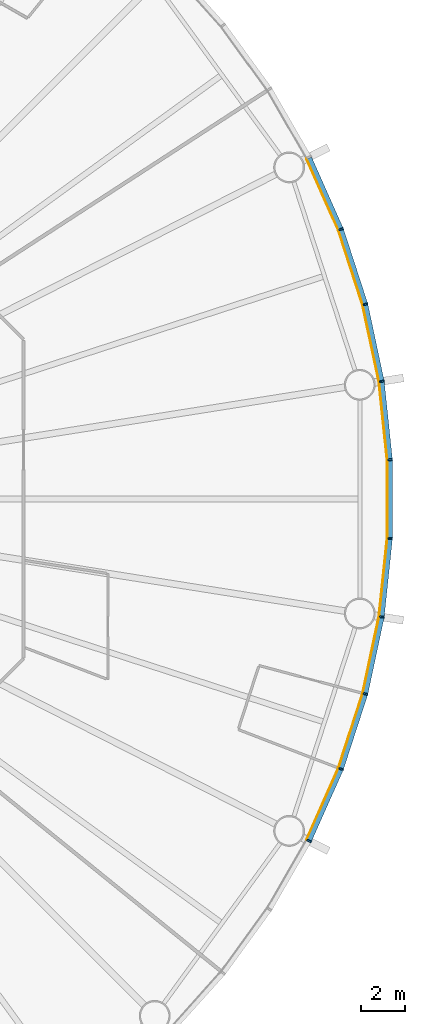
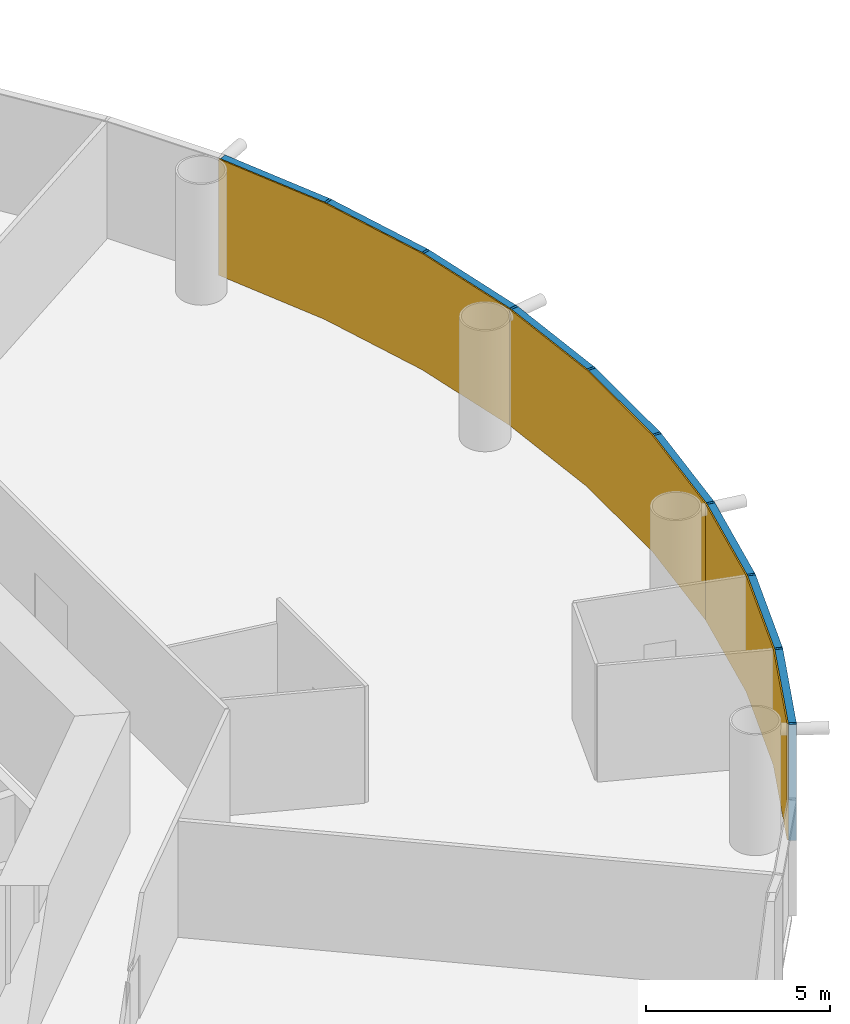
# One storey, part 11 of 13: 18 members, 3 curtain walls.
"""IFC4 building model written with IfcOpenShell, lengths in metres."""

from ifc_helpers import new_model, si_unit, direction, frame, origin, origin_2d, place, context, subcontext, project, spatial, polyline, rectangle, outline, extrude, material, layer, layer_set, material_profile, profile_set, type_object, element, aggregate, save


model = new_model("IFC4")

# Units and contexts
model_context = context("Model", 3, precision=1e-05, world=origin(), true_north=direction((0.0, 1.0)))
body_context = subcontext(model_context, "Body", "Model", "MODEL_VIEW")
ifc_project = project(units=[si_unit("LENGTHUNIT", "METRE"), si_unit("AREAUNIT", "SQUARE_METRE"), si_unit("VOLUMEUNIT", "CUBIC_METRE"), si_unit("PLANEANGLEUNIT", "RADIAN"), si_unit("MASSUNIT", "GRAM", prefix="KILO")], contexts=[model_context])

# Member
ifc_material_1 = material(Name="Anodised aluminium", Category="aluminium")
ifc_material_profile_1 = material_profile(ifc_material_1, rectangle(XDim=0.074951171875, YDim=0.219970703125, at=origin_2d()), Name="Mullion 75 x 220 mm anodised aluminium")
ifc_profile_set_1 = profile_set([ifc_material_profile_1], Name="Anodised aluminium")
member_type_1 = type_object("IfcMemberType", Name="Mullion 75 x 220 mm anodised aluminium", PredefinedType="MULLION", material=ifc_profile_set_1)
site_placement = place(None, origin())
building_placement = place(site_placement, origin())
storey_placement = place(building_placement, frame((0.0, 0.0, 34.0)))
member_1_placement = place(storey_placement, frame((123.68994140625, 85.3359375, 0.0), z_axis=(0.0, 0.0, 1.0), x_axis=(-0.15643446504, 0.987688340595, 0.0)))
member_1 = element("IfcMember", 1, at=member_1_placement, type_object=member_type_1, Name="MULLION L06-00", PredefinedType="MULLION", context=body_context, shape_type="SweptSolid", body=[
    extrude(rectangle(XDim=0.074951171875, YDim=0.219970703125, at=origin_2d()), origin(), (0.0, 0.0, 1.0), 3.85009765625),
])

member_2_placement = place(storey_placement, frame((122.94775390625, 88.828369140625, 0.0), z_axis=(0.0, 0.0, 1.0), x_axis=(-0.258819045103, 0.965925826289, 0.0)))
member_2 = element("IfcMember", 2, at=member_2_placement, type_object=member_type_1, Name="MULLION L06-01", PredefinedType="MULLION", context=body_context, shape_type="SweptSolid", body=[
    extrude(rectangle(XDim=0.074951171875, YDim=0.219970703125, at=origin_2d()), origin(), (0.0, 0.0, 1.0), 3.85009765625),
])

member_3_placement = place(storey_placement, frame((121.844482421875, 92.223876953125, 0.0), z_axis=(0.0, 0.0, 1.0), x_axis=(-0.358367949545, 0.933580426497, 0.0)))
member_3 = element("IfcMember", 3, at=member_3_placement, type_object=member_type_1, Name="MULLION L06-02", PredefinedType="MULLION", context=body_context, shape_type="SweptSolid", body=[
    extrude(rectangle(XDim=0.074951171875, YDim=0.219970703125, at=origin_2d()), origin(), (0.0, 0.0, 1.0), 3.85009765625),
])

member_4_placement = place(storey_placement, frame((120.392333984375, 64.514404296875, 0.0), z_axis=(0.0, 0.0, 1.0), x_axis=(0.45399049974, 0.891006524188, 0.0)))
member_4 = element("IfcMember", 4, at=member_4_placement, type_object=member_type_1, Name="MULLION L06-54", PredefinedType="MULLION", context=body_context, shape_type="SweptSolid", body=[
    extrude(rectangle(XDim=0.074951171875, YDim=0.219970703125, at=origin_2d()), origin(), (0.0, 0.0, 1.0), 3.85009765625),
])

member_5_placement = place(storey_placement, frame((121.844482421875, 67.776123046875, 0.0), z_axis=(0.0, 0.0, 1.0), x_axis=(0.358367949545, 0.933580426497, 0.0)))
member_5 = element("IfcMember", 5, at=member_5_placement, type_object=member_type_1, Name="MULLION L06-55", PredefinedType="MULLION", context=body_context, shape_type="SweptSolid", body=[
    extrude(rectangle(XDim=0.074951171875, YDim=0.219970703125, at=origin_2d()), origin(), (0.0, 0.0, 1.0), 3.85009765625),
])

member_6_placement = place(storey_placement, frame((122.94775390625, 71.171630859375, 0.0), z_axis=(0.0, 0.0, 1.0), x_axis=(0.258819045103, 0.965925826289, 0.0)))
member_6 = element("IfcMember", 6, at=member_6_placement, type_object=member_type_1, Name="MULLION L06-56", PredefinedType="MULLION", context=body_context, shape_type="SweptSolid", body=[
    extrude(rectangle(XDim=0.074951171875, YDim=0.219970703125, at=origin_2d()), origin(), (0.0, 0.0, 1.0), 3.85009765625),
])

member_7_placement = place(storey_placement, frame((123.68994140625, 74.6640625, 0.0), z_axis=(0.0, 0.0, 1.0), x_axis=(0.15643446504, 0.987688340595, 0.0)))
member_7 = element("IfcMember", 7, at=member_7_placement, type_object=member_type_1, Name="MULLION L06-57", PredefinedType="MULLION", context=body_context, shape_type="SweptSolid", body=[
    extrude(rectangle(XDim=0.074951171875, YDim=0.219970703125, at=origin_2d()), origin(), (0.0, 0.0, 1.0), 3.85009765625),
])

member_8_placement = place(storey_placement, frame((124.063232421875, 78.21484375, 0.0), z_axis=(0.0, 0.0, 1.0), x_axis=(0.052335956243, 0.998629534755, 0.0)))
member_8 = element("IfcMember", 8, at=member_8_placement, type_object=member_type_1, Name="MULLION L06-58", PredefinedType="MULLION", context=body_context, shape_type="SweptSolid", body=[
    extrude(rectangle(XDim=0.074951171875, YDim=0.219970703125, at=origin_2d()), origin(), (0.0, 0.0, 1.0), 3.85009765625),
])

member_9_placement = place(storey_placement, frame((124.063232421875, 81.78515625, 0.0), z_axis=(0.0, 0.0, 1.0), x_axis=(-0.052335956243, 0.998629534755, 0.0)))
member_9 = element("IfcMember", 9, at=member_9_placement, type_object=member_type_1, Name="MULLION L06-59", PredefinedType="MULLION", context=body_context, shape_type="SweptSolid", body=[
    extrude(rectangle(XDim=0.074951171875, YDim=0.219970703125, at=origin_2d()), origin(), (0.0, 0.0, 1.0), 3.85009765625),
])

ifc_material_2 = material(Name="Anodised aluminium", Category="aluminium")
ifc_material_profile_2 = material_profile(ifc_material_2, rectangle(XDim=0.219970703125, YDim=0.199951171875, at=origin_2d()), Name="Transom 200 x 220 mm anodised aluminium")
ifc_profile_set_2 = profile_set([ifc_material_profile_2], Name="Anodised aluminium")
member_type_2 = type_object("IfcMemberType", Name="Transom 200 x 220 mm anodised aluminium", PredefinedType="USERDEFINED", material=ifc_profile_set_2)
member_10_placement = place(storey_placement, frame((123.68115234375, 85.37841796875, 3.75), z_axis=(-0.207920776701, 0.978145669426, 0.0), x_axis=(-0.978145669426, -0.207920776701, 0.0)))
member_10 = element("IfcMember", 10, at=member_10_placement, type_object=member_type_2, Name="TRANSOM L06-00", ObjectType="TRANSOM", PredefinedType="USERDEFINED", context=body_context, shape_type="SweptSolid", body=[
    extrude(rectangle(XDim=0.219970703125, YDim=0.199951171875, at=origin_2d()), origin(), (0.0, 0.0, 1.0), 3.48388671875),
])

member_11_placement = place(storey_placement, frame((122.9345703125, 88.869384765625, 3.75), z_axis=(-0.309029029702, 0.951052605696, 0.0), x_axis=(-0.951052605696, -0.309029029702, 0.0)))
member_11 = element("IfcMember", 11, at=member_11_placement, type_object=member_type_2, Name="TRANSOM L06-01", ObjectType="TRANSOM", PredefinedType="USERDEFINED", context=body_context, shape_type="SweptSolid", body=[
    extrude(rectangle(XDim=0.219970703125, YDim=0.199951171875, at=origin_2d()), origin(), (0.0, 0.0, 1.0), 3.484130859375),
])

member_12_placement = place(storey_placement, frame((121.826904296875, 92.263427734375, 3.75), z_axis=(-0.406736576304, 0.913545487371, 0.0), x_axis=(-0.913545487371, -0.406736576304, 0.0)))
member_12 = element("IfcMember", 12, at=member_12_placement, type_object=member_type_2, Name="TRANSOM L06-02", ObjectType="TRANSOM", PredefinedType="USERDEFINED", context=body_context, shape_type="SweptSolid", body=[
    extrude(rectangle(XDim=0.219970703125, YDim=0.199951171875, at=origin_2d()), origin(), (0.0, 0.0, 1.0), 3.48388671875),
])

member_13_placement = place(storey_placement, frame((120.409912109375, 64.553955078125, 3.75), z_axis=(0.406736576304, 0.913545487371, 0.0), x_axis=(-0.913545487371, 0.406736576304, 0.0)))
member_13 = element("IfcMember", 13, at=member_13_placement, type_object=member_type_2, Name="TRANSOM L06-54", ObjectType="TRANSOM", PredefinedType="USERDEFINED", context=body_context, shape_type="SweptSolid", body=[
    extrude(rectangle(XDim=0.219970703125, YDim=0.199951171875, at=origin_2d()), origin(), (0.0, 0.0, 1.0), 3.48388671875),
])

member_14_placement = place(storey_placement, frame((121.85791015625, 67.817138671875, 3.75), z_axis=(0.309029029702, 0.951052605696, 0.0), x_axis=(-0.951052605696, 0.309029029702, 0.0)))
member_14 = element("IfcMember", 14, at=member_14_placement, type_object=member_type_2, Name="TRANSOM L06-55", ObjectType="TRANSOM", PredefinedType="USERDEFINED", context=body_context, shape_type="SweptSolid", body=[
    extrude(rectangle(XDim=0.219970703125, YDim=0.199951171875, at=origin_2d()), origin(), (0.0, 0.0, 1.0), 3.484130859375),
])

member_15_placement = place(storey_placement, frame((122.956787109375, 71.2138671875, 3.75), z_axis=(0.207920776701, 0.978145669426, 0.0), x_axis=(-0.978145669426, 0.207920776701, 0.0)))
member_15 = element("IfcMember", 15, at=member_15_placement, type_object=member_type_2, Name="TRANSOM L06-56", ObjectType="TRANSOM", PredefinedType="USERDEFINED", context=body_context, shape_type="SweptSolid", body=[
    extrude(rectangle(XDim=0.219970703125, YDim=0.199951171875, at=origin_2d()), origin(), (0.0, 0.0, 1.0), 3.48388671875),
])

member_16_placement = place(storey_placement, frame((123.69482421875, 74.70703125, 3.75), z_axis=(0.104484152234, 0.994526551648, 0.0), x_axis=(-0.994526551648, 0.104484152234, 0.0)))
member_16 = element("IfcMember", 16, at=member_16_placement, type_object=member_type_2, Name="TRANSOM L06-57", ObjectType="TRANSOM", PredefinedType="USERDEFINED", context=body_context, shape_type="SweptSolid", body=[
    extrude(rectangle(XDim=0.219970703125, YDim=0.199951171875, at=origin_2d()), origin(), (0.0, 0.0, 1.0), 3.48388671875),
])

member_17_placement = place(storey_placement, frame((124.0634765625, 78.258056640625, 3.75), z_axis=(0.0, 1.0, 0.0), x_axis=(-1.0, 0.0, 0.0)))
member_17 = element("IfcMember", 17, at=member_17_placement, type_object=member_type_2, Name="TRANSOM L06-58", ObjectType="TRANSOM", PredefinedType="USERDEFINED", context=body_context, shape_type="SweptSolid", body=[
    extrude(rectangle(XDim=0.219970703125, YDim=0.199951171875, at=origin_2d()), origin(), (0.0, 0.0, 1.0), 3.48388671875),
])

member_18_placement = place(storey_placement, frame((124.058837890625, 81.828125, 3.75), z_axis=(-0.104484152234, 0.994526551648, 0.0), x_axis=(-0.994526551648, -0.104484152234, 0.0)))
member_18 = element("IfcMember", 18, at=member_18_placement, type_object=member_type_2, Name="TRANSOM L06-59", ObjectType="TRANSOM", PredefinedType="USERDEFINED", context=body_context, shape_type="SweptSolid", body=[
    extrude(rectangle(XDim=0.219970703125, YDim=0.199951171875, at=origin_2d()), origin(), (0.0, 0.0, 1.0), 3.48388671875),
])

# Site, building, storey
site = spatial("IfcSite", under=ifc_project, at=site_placement, CompositionType="ELEMENT")
building = spatial("IfcBuilding", under=site, at=building_placement, Name="Entoto Ring Tower", CompositionType="ELEMENT")
storey = spatial("IfcBuildingStorey", under=building, at=storey_placement, Name="L06", CompositionType="ELEMENT", Elevation=34.0)

# Curtain wall
ifc_material_3 = material(Name="Clear low-iron glass", Category="glass")
ifc_layer = layer(ifc_material_3, 0.0400390625)
ifc_layer_set = layer_set([ifc_layer], Name="Clear low-iron glass")
curtain_wall_type = type_object("IfcCurtainWallType", Name="Curtain wall system CW1 glazing 40 mm", PredefinedType="NOTDEFINED", material=ifc_layer_set)
curtain_wall_1_placement = place(storey_placement, origin())
curtain_wall_1 = element("IfcCurtainWall", 19, at=curtain_wall_1_placement, inside=storey, type_object=curtain_wall_type, Name="CW1 L06-01", PredefinedType="NOTDEFINED", context=body_context, shape_type="SweptSolid", body=[
    extrude(outline(polyline([(123.581298828125, 85.31884765625), (122.841552734375, 88.7998046875), (121.74169921875, 92.1845703125), (120.294189453125, 95.435791015625), (120.258544921875, 95.41748046875), (121.704345703125, 92.170166015625), (122.802734375, 88.78955078125), (123.541748046875, 85.3125), (123.581298828125, 85.31884765625)])), origin(), (0.0, 0.0, 1.0), 3.85009765625),
])

aggregate(curtain_wall_1, [member_1, member_2, member_3, member_10, member_11, member_12])

curtain_wall_2_placement = place(storey_placement, origin())
curtain_wall_2 = element("IfcCurtainWall", 20, at=curtain_wall_2_placement, inside=storey, type_object=curtain_wall_type, Name="CW1 L06-19", PredefinedType="NOTDEFINED", context=body_context, shape_type="SweptSolid", body=[
    extrude(outline(polyline([(120.294189453125, 64.564208984375), (121.74169921875, 67.8154296875), (122.841552734375, 71.2001953125), (123.581298828125, 74.68115234375), (123.541748046875, 74.6875), (122.802734375, 71.21044921875), (121.704345703125, 67.829833984375), (120.258544921875, 64.58251953125), (120.294189453125, 64.564208984375)])), origin(), (0.0, 0.0, 1.0), 3.85009765625),
])

aggregate(curtain_wall_2, [member_4, member_5, member_6, member_13, member_14, member_15])

curtain_wall_3_placement = place(storey_placement, origin())
curtain_wall_3 = element("IfcCurtainWall", 21, at=curtain_wall_3_placement, inside=storey, type_object=curtain_wall_type, Name="CW1 L06-20", PredefinedType="NOTDEFINED", context=body_context, shape_type="SweptSolid", body=[
    extrude(outline(polyline([(123.581298828125, 74.68115234375), (123.953369140625, 78.220458984375), (123.953369140625, 81.779541015625), (123.581298828125, 85.31884765625), (123.541748046875, 85.3125), (123.913330078125, 81.77734375), (123.913330078125, 78.22265625), (123.541748046875, 74.6875), (123.581298828125, 74.68115234375)])), origin(), (0.0, 0.0, 1.0), 3.85009765625),
])

aggregate(curtain_wall_3, [member_7, member_8, member_9, member_16, member_17, member_18])

save(model, "model.ifc")
